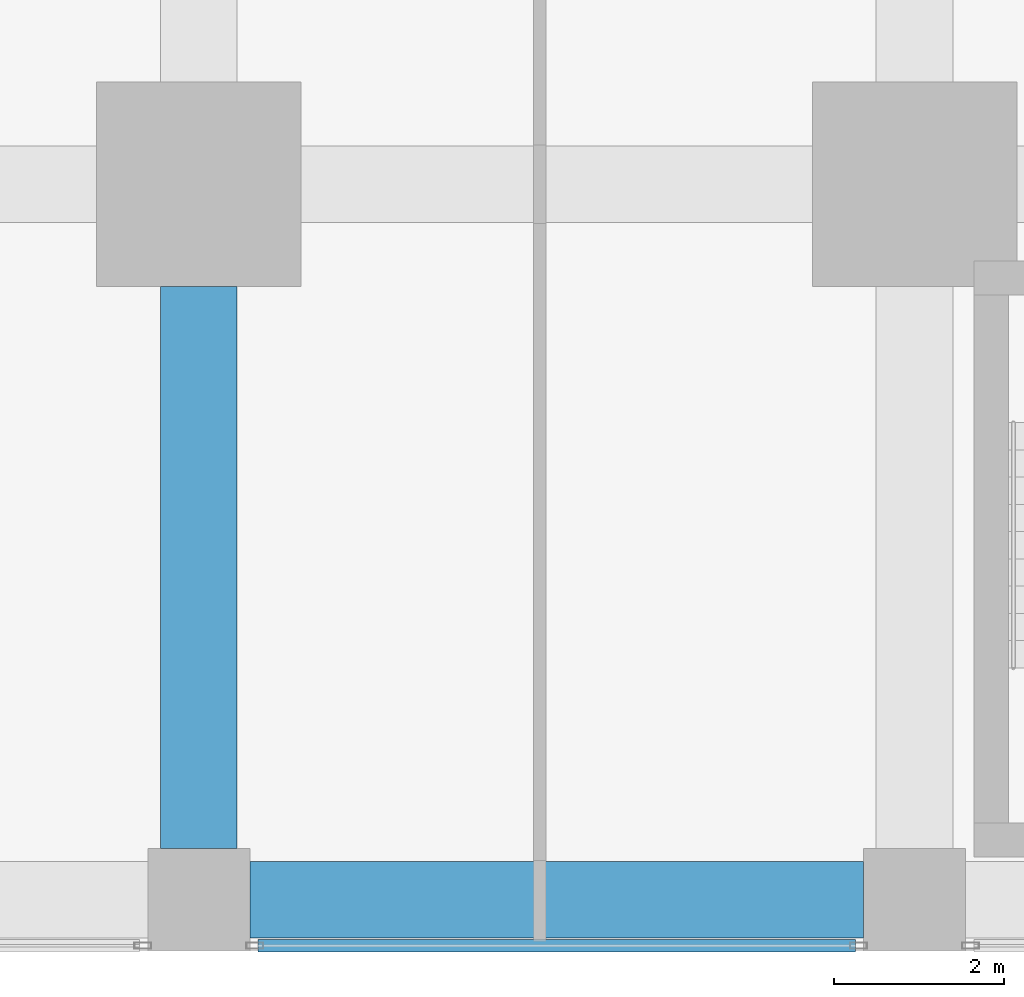
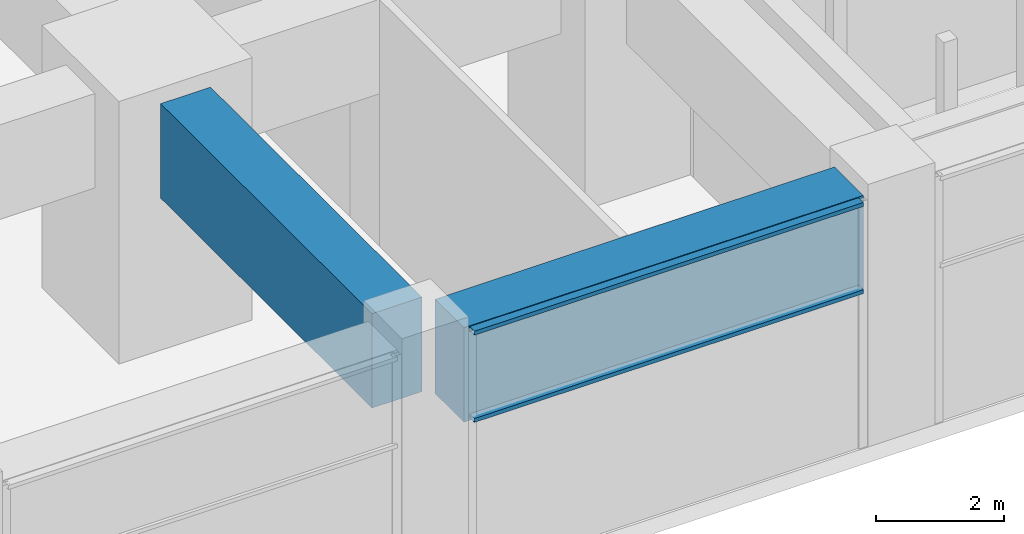
# One storey, part 4 of 49: 2 beams, 2 members, 1 element without a shape of its own.
"""IFC4 building model written with IfcOpenShell, lengths in metres."""

import ifcopenshell
import ifcopenshell.guid

model = None  # the IFC model being written
_history = None  # IfcOwnerHistory: only IFC2X3 demands one
_inside = {}  # id of a spatial element -> (the spatial element, [elements in it])
_under = {}  # id of a project, library or spatial element -> (it, [spatial elements below it])
_declared = {}  # id of a project -> (the project, [libraries it declares])
_typed = {}  # id of a type object -> (the type object, [elements of that type])
_made_of = {}  # id of a material, layer set ... -> (it, [elements and type objects made of it])


def new_model(schema):
    """Start an empty IFC model of exactly this schema.

    Asked for "IFC4X3", IfcOpenShell would pick the latest addendum, in which some entities
    have other attributes; the version numbers below select the first issue.
    IFC2X3 requires an IfcOwnerHistory on every rooted entity: one is made here for all.
    """
    global model, _history
    if schema == "IFC4X3":
        model = ifcopenshell.file(schema_version=(4, 3, 0, 0))
    else:
        model = ifcopenshell.file(schema=schema)
    _inside.clear()
    _under.clear()
    _declared.clear()
    _typed.clear()
    _made_of.clear()
    _history = None
    if model.schema == "IFC2X3":
        org = make("IfcOrganization", Name="unknown")
        user = make(
            "IfcPersonAndOrganization",
            ThePerson=make("IfcPerson", FamilyName="unknown"),
            TheOrganization=org,
        )
        app = make(
            "IfcApplication",
            ApplicationDeveloper=org,
            Version="unknown",
            ApplicationFullName="unknown",
            ApplicationIdentifier="unknown",
        )
        _history = make(
            "IfcOwnerHistory",
            OwningUser=user,
            OwningApplication=app,
            ChangeAction="ADDED",
            CreationDate=0,
        )
    return model


def make(cls, **values):
    """One entity of the class cls with the attributes given. An attribute that is None is left unset."""
    return model.create_entity(
        cls, **{name: value for name, value in values.items() if value is not None}
    )


def rooted(cls, **values):
    """An entity with a GlobalId (a new one), such as an element, a storey or a relation."""
    return make(cls, GlobalId=ifcopenshell.guid.new(), OwnerHistory=_history, **values)


def si_unit(unit_type, name, prefix=None):
    """IfcSIUnit, for example si_unit("LENGTHUNIT", "METRE", prefix="MILLI")."""
    return make("IfcSIUnit", UnitType=unit_type, Prefix=prefix, Name=name)


def assignment(units):
    """IfcUnitAssignment: the units of a project."""
    return None if units is None else make("IfcUnitAssignment", Units=units)


def point(xyz):
    """IfcCartesianPoint."""
    return None if xyz is None else make("IfcCartesianPoint", Coordinates=xyz)


def direction(xyz):
    """IfcDirection."""
    return None if xyz is None else make("IfcDirection", DirectionRatios=xyz)


def frame(location, z_axis=None, x_axis=None):
    """IfcAxis2Placement3D, a coordinate frame: its origin and axes. An axis left out is left unset."""
    return make(
        "IfcAxis2Placement3D",
        Location=point(location),
        Axis=direction(z_axis),
        RefDirection=direction(x_axis),
    )


def frame_2d(location, x_axis=None):
    """IfcAxis2Placement2D, a coordinate frame in the plane: its origin and x axis."""
    return make(
        "IfcAxis2Placement2D", Location=point(location), RefDirection=direction(x_axis)
    )


def origin():
    """The frame at (0, 0, 0) with its axes left unset."""
    return frame((0.0, 0.0, 0.0))


def origin_2d():
    """The frame at (0, 0) in the plane with its x axis left unset."""
    return frame_2d((0.0, 0.0))


def place(relative_to, where):
    """IfcLocalPlacement: puts the frame where relative to a parent placement (None: the world)."""
    return make(
        "IfcLocalPlacement", PlacementRelTo=relative_to, RelativePlacement=where
    )


def context(
    kind, dimensions, precision=None, world=None, true_north=None, identifier=None
):
    """IfcGeometricRepresentationContext, for example the 3D "Model" context."""
    return make(
        "IfcGeometricRepresentationContext",
        ContextIdentifier=identifier,
        ContextType=kind,
        CoordinateSpaceDimension=dimensions,
        Precision=precision,
        WorldCoordinateSystem=world,
        TrueNorth=true_north,
    )


def subcontext(parent, identifier, kind, view, scale=None):
    """IfcGeometricRepresentationSubContext, for example "Body" below "Model"."""
    return make(
        "IfcGeometricRepresentationSubContext",
        ContextIdentifier=identifier,
        ContextType=kind,
        ParentContext=parent,
        TargetScale=scale,
        TargetView=view,
    )


def project(units=None, contexts=None):
    """IfcProject with its units and contexts."""
    return rooted(
        "IfcProject",
        Name="project",
        RepresentationContexts=contexts,
        UnitsInContext=assignment(units),
    )


def spatial(cls, under=None, at=None, **own):
    """A site, building, storey or space (cls), placed at a placement, below another one or the project."""
    s = rooted(cls, ObjectPlacement=at, **own)
    if under is not None:
        _under.setdefault(under.id(), (under, []))[1].append(s)
    return s


def profile(cls, at=None, kind="AREA", **sizes):
    """A parametric profile (cls). Its sizes go by their IFC names, for example OverallWidth=200.0."""
    return make(cls, ProfileType=kind, Position=at, **sizes)


def rectangle(**sizes):
    """IfcRectangleProfileDef."""
    return profile("IfcRectangleProfileDef", **sizes)


def hollow_rectangle(**sizes):
    """IfcRectangleHollowProfileDef."""
    return profile("IfcRectangleHollowProfileDef", **sizes)


def extrude(swept, where, along, depth):
    """IfcExtrudedAreaSolid: the profile swept, set in the frame where, extruded along a direction by depth."""
    return make(
        "IfcExtrudedAreaSolid",
        SweptArea=swept,
        Position=where,
        ExtrudedDirection=direction(along),
        Depth=depth,
    )


def shape(context_of_items, identifier, shape_type, items):
    """IfcShapeRepresentation: the items that make up one representation, for example the "Body"."""
    return make(
        "IfcShapeRepresentation",
        ContextOfItems=context_of_items,
        RepresentationIdentifier=identifier,
        RepresentationType=shape_type,
        Items=items,
    )


def material(Name=None, Category=None):
    """IfcMaterial."""
    return make("IfcMaterial", Name=Name, Category=Category)


def material_profile(
    of_material, cross_section, Name=None, Category=None, Priority=None
):
    """IfcMaterialProfile: a cross section and its material."""
    return make(
        "IfcMaterialProfile",
        Name=Name,
        Material=of_material,
        Profile=cross_section,
        Priority=Priority,
        Category=Category,
    )


def profile_set(profiles, Name=None, composite=None):
    """IfcMaterialProfileSet."""
    return make(
        "IfcMaterialProfileSet",
        Name=Name,
        MaterialProfiles=profiles,
        CompositeProfile=composite,
    )


def made_of(thing, what):
    """Note that an element or type object is made of a material, layer set ...; save() writes the relation."""
    if what is not None:
        _made_of.setdefault(what.id(), (what, []))[1].append(thing)
    return thing


def type_object(cls, material=None, **own):
    """A type object (cls), such as IfcWallType, which elements share."""
    return made_of(rooted(cls, **own), material)


def element(
    cls,
    number,
    at=None,
    inside=None,
    cuts=None,
    type_object=None,
    material=None,
    context=None,
    identifier="Body",
    shape_type=None,
    held_by="IfcProductDefinitionShape",
    body=None,
    shapes=None,
    **own,
):
    """One element of the class cls, such as IfcWall. Its Tag is "e" and its number.

    at: its placement. inside: the storey or other place that contains it. cuts: it is an
    opening in that element (IfcRelVoidsElement). A single representation is given by context,
    identifier, shape_type and body (its items); several are given by shapes. held_by: the class
    of the entity that holds the representations. save() writes the other relations.
    """
    e = rooted(cls, Tag="e%d" % number, ObjectPlacement=at, **own)
    if body is not None:
        shapes = [shape(context, identifier, shape_type, body)]
    if shapes is not None:
        e.Representation = make(held_by, Representations=shapes)
    if inside is not None:
        _inside.setdefault(inside.id(), (inside, []))[1].append(e)
    if cuts is not None:
        rooted(
            "IfcRelVoidsElement", RelatingBuildingElement=cuts, RelatedOpeningElement=e
        )
    if type_object is not None:
        _typed.setdefault(type_object.id(), (type_object, []))[1].append(e)
    return made_of(e, material)


def aggregate(whole, parts):
    """IfcRelAggregates: a whole, such as a stair, and the parts it consists of."""
    return rooted("IfcRelAggregates", RelatingObject=whole, RelatedObjects=parts)


def save(model, path):
    """Write the relations noted so far, then the file.

    IfcRelAggregates (storeys below a building ...), IfcRelContainedInSpatialStructure (elements
    in a storey), IfcRelDefinesByType, IfcRelAssociatesMaterial and IfcRelDeclares: one each for
    every whole, place, type object, material and project.
    """
    for whole, parts in _under.values():
        aggregate(whole, parts)
    for where, things in _inside.values():
        rooted(
            "IfcRelContainedInSpatialStructure",
            RelatedElements=things,
            RelatingStructure=where,
        )
    for kind, things in _typed.values():
        rooted("IfcRelDefinesByType", RelatedObjects=things, RelatingType=kind)
    for what, things in _made_of.values():
        rooted("IfcRelAssociatesMaterial", RelatedObjects=things, RelatingMaterial=what)
    for by, libraries in _declared.values():
        rooted("IfcRelDeclares", RelatingContext=by, RelatedDefinitions=libraries)
    model.write(path)


model = new_model("IFC4")

# Units and contexts
model_context = context("Model", 3, precision=1e-05, world=origin(), true_north=direction((0.0, 1.0)))
body_context = subcontext(model_context, "Body", "Model", "MODEL_VIEW")
ifc_project = project(units=[si_unit("LENGTHUNIT", "METRE"), si_unit("AREAUNIT", "SQUARE_METRE"), si_unit("VOLUMEUNIT", "CUBIC_METRE"), si_unit("PLANEANGLEUNIT", "RADIAN"), si_unit("MASSUNIT", "GRAM", prefix="KILO")], contexts=[model_context])

# Site, building, storey
site_placement = place(None, origin())
site = spatial("IfcSite", under=ifc_project, at=site_placement, CompositionType="ELEMENT")
building_placement = place(site_placement, origin())
building = spatial("IfcBuilding", under=site, at=building_placement, Name="Rekha Terrace Tower", CompositionType="ELEMENT")
storey_placement = place(building_placement, frame((0.0, 0.0, 5.39990234375)))
storey = spatial("IfcBuildingStorey", under=building, at=storey_placement, Name="L01", CompositionType="ELEMENT", Elevation=5.39990234375)

# Curtain wall, members
ifc_material_1 = material(Name="Aluminium framing", Category="aluminium")
curtain_wall_type = type_object("IfcCurtainWallType", Name="CW4 podium shopfront glazing", PredefinedType="USERDEFINED", material=ifc_material_1)
curtain_wall_placement = place(storey_placement, origin())
curtain_wall = element("IfcCurtainWall", 1, at=curtain_wall_placement, inside=storey, type_object=curtain_wall_type, Name="CW4 shopfront curtain wall", ObjectType="SHOPFRONT CURTAIN WALL", PredefinedType="USERDEFINED")
ifc_material_2 = material(Name="Aluminium transom section", Category="aluminium")
ifc_material_profile_1 = material_profile(ifc_material_2, hollow_rectangle(XDim=0.14990234375, YDim=0.074951171875, WallThickness=0.0029296875, at=origin_2d()), Name="AL RHS 150x75")
ifc_profile_set_1 = profile_set([ifc_material_profile_1], Name="Aluminium transom section")
member_type = type_object("IfcMemberType", Name="CW4 transom RHS 75 x 150", PredefinedType="USERDEFINED", material=ifc_profile_set_1)
member_1_placement = place(storey_placement, frame((9.094970703125, -0.5400390625, 3.0), z_axis=(1.0, 0.0, 0.0), x_axis=(0.0, 1.0, 0.0)))
member_1 = element("IfcMember", 2, at=member_1_placement, type_object=member_type, Name="CW4 transom 1.2", ObjectType="TRANSOM", PredefinedType="USERDEFINED", context=body_context, shape_type="SweptSolid", body=[
    extrude(hollow_rectangle(XDim=0.14990234375, YDim=0.074951171875, WallThickness=0.0029296875, at=origin_2d()), origin(), (0.0, 0.0, 1.0), 7.010009765625),
])
member_2_placement = place(storey_placement, frame((9.094970703125, -0.5400390625, 4.66259765625), z_axis=(1.0, 0.0, 0.0), x_axis=(0.0, 1.0, 0.0)))
member_2 = element("IfcMember", 3, at=member_2_placement, type_object=member_type, Name="CW4 transom 1.3", ObjectType="TRANSOM", PredefinedType="USERDEFINED", context=body_context, shape_type="SweptSolid", body=[
    extrude(hollow_rectangle(XDim=0.14990234375, YDim=0.074951171875, WallThickness=0.0029296875, at=origin_2d()), origin(), (0.0, 0.0, 1.0), 7.010009765625),
])
aggregate(curtain_wall, [member_1, member_2])

# Beams
ifc_material_3 = material(Name="Concrete M60", Category="concrete")
ifc_material_profile_2 = material_profile(ifc_material_3, rectangle(XDim=0.89990234375, YDim=1.800048828125, at=origin_2d()), Name="RC 900x1800")
ifc_profile_set_2 = profile_set([ifc_material_profile_2], Name="Concrete M60")
beam_type = type_object("IfcBeamType", Name="G1 900x1800 podium floor beam", PredefinedType="BEAM", material=ifc_profile_set_2)
beam_1_placement = place(storey_placement, frame((9.0, 0.0, 3.800048828125), z_axis=(1.0, 0.0, 0.0), x_axis=(0.0, 1.0, 0.0)))
element("IfcBeam", 4, at=beam_1_placement, inside=storey, type_object=beam_type, Name="Beam G1 2A-3A under L02", PredefinedType="BEAM", context=body_context, shape_type="SweptSolid", body=[
    extrude(rectangle(XDim=0.89990234375, YDim=1.800048828125, at=origin_2d()), origin(), (0.0, 0.0, 1.0), 7.199951171875),
])
beam_2_placement = place(storey_placement, frame((8.39990234375, 0.60009765625, 3.800048828125), z_axis=(0.0, 1.0, 0.0), x_axis=(-1.0, 0.0, 0.0)))
element("IfcBeam", 5, at=beam_2_placement, inside=storey, type_object=beam_type, Name="Beam G1 2A-2B under L02", PredefinedType="BEAM", context=body_context, shape_type="SweptSolid", body=[
    extrude(rectangle(XDim=0.89990234375, YDim=1.800048828125, at=origin_2d()), origin(), (0.0, 0.0, 1.0), 6.599853515625),
])

save(model, "model.ifc")
